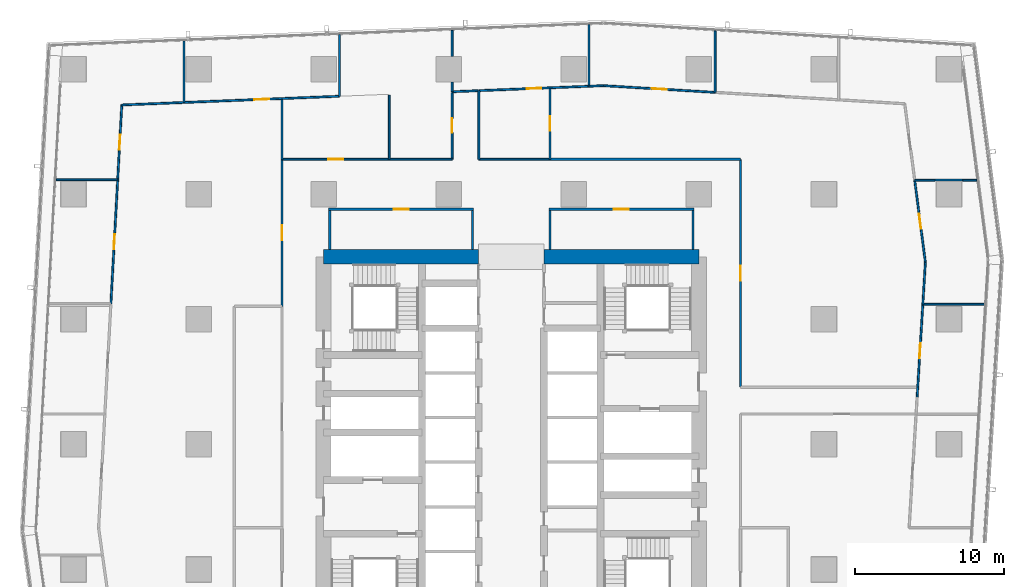
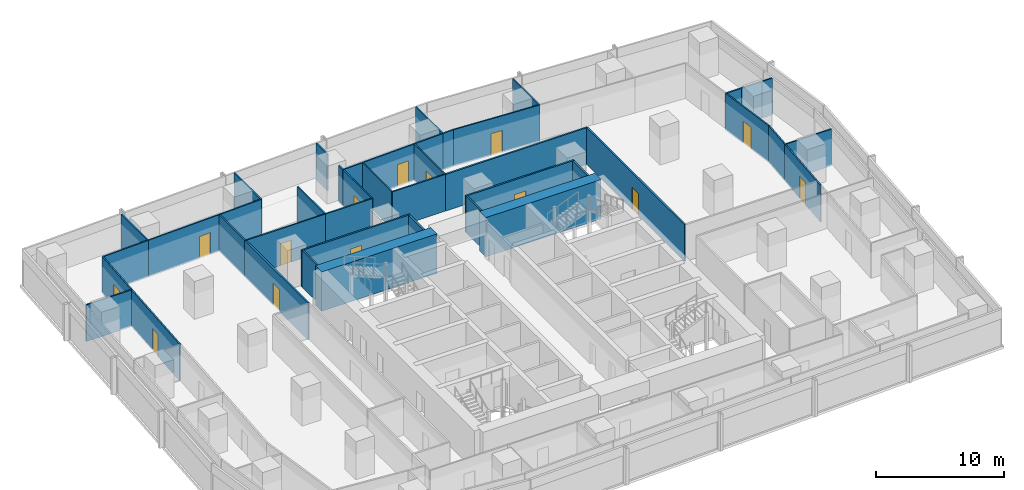
# One storey, part 31 of 40: 41 walls, 14 doors, 14 openings.
"""IFC4 building model written with IfcOpenShell, lengths in metres."""

from ifc_helpers import new_model, si_unit, direction, frame, frame_2d, origin, place, context, subcontext, project, spatial, rectangle, extrude, material, layer, layer_set, type_object, element, fill, save


model = new_model("IFC4")

# Units and contexts
model_context = context("Model", 3, precision=1e-05, world=origin(), true_north=direction((0.0, 1.0)))
body_context = subcontext(model_context, "Body", "Model", "MODEL_VIEW")
ifc_project = project(units=[si_unit("LENGTHUNIT", "METRE"), si_unit("AREAUNIT", "SQUARE_METRE"), si_unit("VOLUMEUNIT", "CUBIC_METRE"), si_unit("PLANEANGLEUNIT", "RADIAN"), si_unit("MASSUNIT", "GRAM", prefix="KILO")], contexts=[model_context])

# Site, building, storey
site_placement = place(None, origin())
site = spatial("IfcSite", under=ifc_project, at=site_placement, CompositionType="ELEMENT")
building_placement = place(site_placement, origin())
building = spatial("IfcBuilding", under=site, at=building_placement, Name="Rekha Terrace Tower", CompositionType="ELEMENT")
storey_placement = place(building_placement, frame((0.0, 0.0, 121.550048828125)))
storey = spatial("IfcBuildingStorey", under=building, at=storey_placement, Name="L30", CompositionType="ELEMENT", Elevation=121.550048828125)

# Walls
ifc_material_1 = material(Name="Concrete M70", Category="concrete")
ifc_layer_1 = layer(ifc_material_1, 1.0)
ifc_layer_set_1 = layer_set([ifc_layer_1], Name="Concrete M70")
wall_type_1 = type_object("IfcWallType", Name="SW2 1000 core outer shear wall", PredefinedType="SHEAR", material=ifc_layer_set_1)
wall_1_placement = place(storey_placement, frame((25.199951171875, 46.199951171875, 0.0), z_axis=(0.0, 0.0, 1.0), x_axis=(1.0, 0.0, 0.0)))
element("IfcWall", 1, at=wall_1_placement, inside=storey, type_object=wall_type_1, Name="Core wall N1 L30", PredefinedType="SHEAR", context=body_context, shape_type="SweptSolid", body=[
    extrude(rectangle(XDim=10.400146484375, YDim=1.0, at=frame_2d((5.2001953125, 0.0))), origin(), (0.0, 0.0, 1.0), 3.75),
])
wall_2_placement = place(storey_placement, frame((40.0, 46.199951171875, 0.0), z_axis=(0.0, 0.0, 1.0), x_axis=(1.0, 0.0, 0.0)))
element("IfcWall", 2, at=wall_2_placement, inside=storey, type_object=wall_type_1, Name="Core wall N2 L30", PredefinedType="SHEAR", context=body_context, shape_type="SweptSolid", body=[
    extrude(rectangle(XDim=10.39990234375, YDim=1.0, at=frame_2d((5.199951171875, 0.0))), origin(), (0.0, 0.0, 1.0), 3.75),
])

# Wall, opening, door
ifc_material_2 = material(Name="Concrete block masonry, 1 hour", Category="masonry")
ifc_layer_2 = layer(ifc_material_2, 0.14990234375)
ifc_layer_set_2 = layer_set([ifc_layer_2], Name="Concrete block masonry, 1 hour")
wall_type_2 = type_object("IfcWallType", Name="WP2 150 tenancy partition", PredefinedType="PARTITIONING", material=ifc_layer_set_2)
wall_3_placement = place(storey_placement, frame((40.324951171875, 49.39990234375, 0.0), z_axis=(0.0, 0.0, 1.0), x_axis=(1.0, 0.0, 0.0)))
wall_3 = element("IfcWall", 3, at=wall_3_placement, inside=storey, type_object=wall_type_2, Name="Women's WC wall L30", PredefinedType="PARTITIONING", context=body_context, shape_type="SweptSolid", body=[
    extrude(rectangle(XDim=9.75, YDim=0.14990234375, at=frame_2d((4.875, 0.0))), origin(), (0.0, 0.0, 1.0), 3.5),
])
opening_1_placement = place(wall_3_placement, frame((4.375, 0.0, 0.0)))
opening_1 = element("IfcOpeningElement", 4, at=opening_1_placement, cuts=wall_3, Name="Opening D3", PredefinedType="OPENING", context=body_context, shape_type="SweptSolid", body=[
    extrude(rectangle(XDim=1.0, YDim=2.10009765625, at=frame_2d((0.5, 1.050048828125))), frame((0.0, 0.0849609375, 0.0), z_axis=(0.0, -1.0, 0.0), x_axis=(1.0, 0.0, 0.0)), (0.0, 0.0, 1.0), 0.169921875),
])
ifc_material_3 = material(Name="Laminated timber fire door", Category="wood")
door_type_1 = type_object("IfcDoorType", Name="D3 1000x2100 WC door", OperationType="SINGLE_SWING_LEFT", PredefinedType="DOOR", material=ifc_material_3)
door_1_placement = place(opening_1_placement, origin())
door_1 = element("IfcDoor", 5, at=door_1_placement, inside=storey, type_object=door_type_1, Name="Door women's wc L30", OperationType="SINGLE_SWING_LEFT", OverallHeight=2.10009765625, OverallWidth=1.0, PredefinedType="DOOR", context=body_context, shape_type="SweptSolid", body=[
    extrude(rectangle(XDim=1.0, YDim=2.10009765625, at=frame_2d((0.5, 1.050048828125))), frame((0.0, 0.02490234375, 0.0), z_axis=(0.0, -1.0, 0.0), x_axis=(1.0, 0.0, 0.0)), (0.0, 0.0, 1.0), 0.050048828125),
])
fill(opening_1, door_1)

# Walls
for number, where, z_axis, x_axis, name in (
    (6, (40.39990234375, 46.699951171875, 0.0), (0.0, 0.0, 1.0), (0.0, 1.0, 0.0), "Women's WC wall L30"),
    (7, (50.0, 46.699951171875, 0.0), (0.0, 0.0, 1.0), (0.0, 1.0, 0.0), "Women's WC wall L30"),
):
    element("IfcWall", number, at=place(storey_placement, frame(where, z_axis=z_axis, x_axis=x_axis)), inside=storey, type_object=wall_type_2, Name=name, PredefinedType="PARTITIONING", context=body_context, shape_type="SweptSolid", body=[
        extrude(rectangle(XDim=2.625, YDim=0.14990234375, at=frame_2d((1.3125, 0.0))), origin(), (0.0, 0.0, 1.0), 3.5),
    ])

# Wall, opening, door
wall_4_placement = place(storey_placement, frame((25.52490234375, 49.39990234375, 0.0), z_axis=(0.0, 0.0, 1.0), x_axis=(1.0, 0.0, 0.0)))
wall_4 = element("IfcWall", 8, at=wall_4_placement, inside=storey, type_object=wall_type_2, Name="Women's WC wall L30", PredefinedType="PARTITIONING", context=body_context, shape_type="SweptSolid", body=[
    extrude(rectangle(XDim=9.75, YDim=0.14990234375, at=frame_2d((4.875, 0.0))), origin(), (0.0, 0.0, 1.0), 3.5),
])
opening_2_placement = place(wall_4_placement, frame((4.375, 0.0, 0.0)))
opening_2 = element("IfcOpeningElement", 9, at=opening_2_placement, cuts=wall_4, Name="Opening D3", PredefinedType="OPENING", context=body_context, shape_type="SweptSolid", body=[
    extrude(rectangle(XDim=1.0, YDim=2.10009765625, at=frame_2d((0.5, 1.050048828125))), frame((0.0, 0.0849609375, 0.0), z_axis=(0.0, -1.0, 0.0), x_axis=(1.0, 0.0, 0.0)), (0.0, 0.0, 1.0), 0.169921875),
])
door_2_placement = place(opening_2_placement, origin())
door_2 = element("IfcDoor", 10, at=door_2_placement, inside=storey, type_object=door_type_1, Name="Door women's wc L30", OperationType="SINGLE_SWING_LEFT", OverallHeight=2.10009765625, OverallWidth=1.0, PredefinedType="DOOR", context=body_context, shape_type="SweptSolid", body=[
    extrude(rectangle(XDim=1.0, YDim=2.10009765625, at=frame_2d((0.5, 1.050048828125))), frame((0.0, 0.02490234375, 0.0), z_axis=(0.0, -1.0, 0.0), x_axis=(1.0, 0.0, 0.0)), (0.0, 0.0, 1.0), 0.050048828125),
])
fill(opening_2, door_2)

# Walls
for number, where, z_axis, x_axis, name in (
    (11, (25.60009765625, 46.699951171875, 0.0), (0.0, 0.0, 1.0), (0.0, 1.0, 0.0), "Women's WC wall L30"),
    (12, (35.199951171875, 46.699951171875, 0.0), (0.0, 0.0, 1.0), (0.0, 1.0, 0.0), "Women's WC wall L30"),
):
    element("IfcWall", number, at=place(storey_placement, frame(where, z_axis=z_axis, x_axis=x_axis)), inside=storey, type_object=wall_type_2, Name=name, PredefinedType="PARTITIONING", context=body_context, shape_type="SweptSolid", body=[
        extrude(rectangle(XDim=2.625, YDim=0.14990234375, at=frame_2d((1.3125, 0.0))), origin(), (0.0, 0.0, 1.0), 3.5),
    ])
wall_5_placement = place(storey_placement, frame((66.260009765625, 51.35498046875, 0.0), z_axis=(0.0, 0.0, 1.0), x_axis=(1.0, 0.0, 0.0)))
element("IfcWall", 13, at=wall_5_placement, inside=storey, type_object=wall_type_2, Name="Partition L30-O1", PredefinedType="PARTITIONING", context=body_context, shape_type="SweptSolid", body=[
    extrude(rectangle(XDim=1.8798828125, YDim=0.14990234375, at=frame_2d((0.93994140625, 0.0))), origin(), (0.0, 0.0, 1.0), 3.5),
])

# Wall, opening, door
wall_6_placement = place(storey_placement, frame((53.199951171875, 37.43701171875, 0.0), z_axis=(0.0, 0.0, 1.0), x_axis=(0.0, 1.0, 0.0)))
wall_6 = element("IfcWall", 14, at=wall_6_placement, inside=storey, type_object=wall_type_2, Name="Partition L30-O1", PredefinedType="PARTITIONING", context=body_context, shape_type="SweptSolid", body=[
    extrude(rectangle(XDim=15.31298828125, YDim=0.14990234375, at=frame_2d((7.656494140625, 0.0))), origin(), (0.0, 0.0, 1.0), 3.5),
])
opening_3_placement = place(wall_6_placement, frame((7.156982421875, 0.0, 0.0)))
opening_3 = element("IfcOpeningElement", 15, at=opening_3_placement, cuts=wall_6, Name="Opening D9", PredefinedType="OPENING", context=body_context, shape_type="SweptSolid", body=[
    extrude(rectangle(XDim=1.0, YDim=2.10009765625, at=frame_2d((0.5, 1.050048828125))), frame((0.0, 0.0849609375, 0.0), z_axis=(0.0, -1.0, 0.0), x_axis=(1.0, 0.0, 0.0)), (0.0, 0.0, 1.0), 0.169921875),
])
ifc_material_4 = material(Name="Timber fire door", Category="wood")
door_type_2 = type_object("IfcDoorType", Name="D9 1000x2100 office door", OperationType="SINGLE_SWING_LEFT", PredefinedType="DOOR", material=ifc_material_4)
door_3_placement = place(opening_3_placement, origin())
door_3 = element("IfcDoor", 16, at=door_3_placement, inside=storey, type_object=door_type_2, Name="Door open-plan office L30", OperationType="SINGLE_SWING_LEFT", OverallHeight=2.10009765625, OverallWidth=1.0, PredefinedType="DOOR", context=body_context, shape_type="SweptSolid", body=[
    extrude(rectangle(XDim=1.0, YDim=2.10009765625, at=frame_2d((0.5, 1.050048828125))), frame((0.0, 0.02490234375, 0.0), z_axis=(0.0, -1.0, 0.0), x_axis=(1.0, 0.0, 0.0)), (0.0, 0.0, 1.0), 0.050048828125),
])
fill(opening_3, door_3)

# Wall
wall_7_placement = place(storey_placement, frame((53.199951171875, 52.75, 0.0), z_axis=(0.0, 0.0, 1.0), x_axis=(-1.0, 0.0, 0.0)))
element("IfcWall", 17, at=wall_7_placement, inside=storey, type_object=wall_type_2, Name="Partition L30-O1", PredefinedType="PARTITIONING", context=body_context, shape_type="SweptSolid", body=[
    extrude(rectangle(XDim=12.800048828125, YDim=0.14990234375, at=frame_2d((6.39990234375, 0.0))), origin(), (0.0, 0.0, 1.0), 3.5),
])

# Wall, opening, door
wall_8_placement = place(storey_placement, frame((22.39990234375, 52.75, 0.0), z_axis=(0.0, 0.0, 1.0), x_axis=(0.0, -1.0, 0.0)))
wall_8 = element("IfcWall", 18, at=wall_8_placement, inside=storey, type_object=wall_type_2, Name="Partition L30-O1c", PredefinedType="PARTITIONING", context=body_context, shape_type="SweptSolid", body=[
    extrude(rectangle(XDim=9.876953125, YDim=0.14990234375, at=frame_2d((4.9384765625, 0.0))), origin(), (0.0, 0.0, 1.0), 3.5),
])
opening_4_placement = place(wall_8_placement, frame((4.43896484375, 0.0, 0.0)))
opening_4 = element("IfcOpeningElement", 19, at=opening_4_placement, cuts=wall_8, Name="Opening D9", PredefinedType="OPENING", context=body_context, shape_type="SweptSolid", body=[
    extrude(rectangle(XDim=1.0, YDim=2.10009765625, at=frame_2d((0.5, 1.050048828125))), frame((0.0, 0.0849609375, 0.0), z_axis=(0.0, -1.0, 0.0), x_axis=(1.0, 0.0, 0.0)), (0.0, 0.0, 1.0), 0.169921875),
])
door_4_placement = place(opening_4_placement, origin())
door_4 = element("IfcDoor", 20, at=door_4_placement, inside=storey, type_object=door_type_2, Name="Door open-plan office L30", OperationType="SINGLE_SWING_LEFT", OverallHeight=2.10009765625, OverallWidth=1.0, PredefinedType="DOOR", context=body_context, shape_type="SweptSolid", body=[
    extrude(rectangle(XDim=1.0, YDim=2.10009765625, at=frame_2d((0.5, 1.050048828125))), frame((0.0, 0.02490234375, 0.0), z_axis=(0.0, -1.0, 0.0), x_axis=(1.0, 0.0, 0.0)), (0.0, 0.0, 1.0), 0.050048828125),
])
fill(opening_4, door_4)

ifc_material_5 = material(Name="Two layers of fire-rated gypsum board each side on steel studs, acoustic quilt, 1 hour", Category="steel")
ifc_layer_3 = layer(ifc_material_5, 0.125)
ifc_layer_set_3 = layer_set([ifc_layer_3], Name="Two layers of fire-rated gypsum board each side on steel studs, acoustic quilt, 1 hour")
wall_type_3 = type_object("IfcWallType", Name="WP3 125 office partition", PredefinedType="PARTITIONING", material=ifc_layer_set_3)
wall_9_placement = place(storey_placement, frame((65.06396484375, 36.760009765625, 0.0), z_axis=(0.0, 0.0, 1.0), x_axis=(0.061155234725, 0.998128266941, 0.0)))
wall_9 = element("IfcWall", 21, at=wall_9_placement, inside=storey, type_object=wall_type_3, Name="Partition L30-03", PredefinedType="PARTITIONING", context=body_context, shape_type="SweptSolid", body=[
    extrude(rectangle(XDim=6.263671875, YDim=0.125, at=frame_2d((3.1318359375, 0.0))), origin(), (0.0, 0.0, 1.0), 3.5),
])
opening_5_placement = place(wall_9_placement, frame((2.632080078125, 0.0, 0.0)))
opening_5 = element("IfcOpeningElement", 22, at=opening_5_placement, cuts=wall_9, Name="Opening D9", PredefinedType="OPENING", context=body_context, shape_type="SweptSolid", body=[
    extrude(rectangle(XDim=1.0, YDim=2.10009765625, at=frame_2d((0.5, 1.050048828125))), frame((0.0, 0.072509765625, 0.0), z_axis=(0.0, -1.0, 0.0), x_axis=(1.0, 0.0, 0.0)), (0.0, 0.0, 1.0), 0.14501953125),
])
door_5_placement = place(opening_5_placement, origin())
door_5 = element("IfcDoor", 23, at=door_5_placement, inside=storey, type_object=door_type_2, Name="Door office L30", OperationType="SINGLE_SWING_LEFT", OverallHeight=2.10009765625, OverallWidth=1.0, PredefinedType="DOOR", context=body_context, shape_type="SweptSolid", body=[
    extrude(rectangle(XDim=1.0, YDim=2.10009765625, at=frame_2d((0.5, 1.050048828125))), frame((0.0, 0.02490234375, 0.0), z_axis=(0.0, -1.0, 0.0), x_axis=(1.0, 0.0, 0.0)), (0.0, 0.0, 1.0), 0.050048828125),
])
fill(opening_5, door_5)

# Walls
wall_10_placement = place(storey_placement, frame((65.447021484375, 43.011962890625, 0.0), z_axis=(0.0, 0.0, 1.0), x_axis=(1.0, 0.0, 0.0)))
element("IfcWall", 24, at=wall_10_placement, inside=storey, type_object=wall_type_3, Name="Partition L30-03", PredefinedType="PARTITIONING", context=body_context, shape_type="SweptSolid", body=[
    extrude(rectangle(XDim=4.156982421875, YDim=0.125, at=frame_2d((2.07861328125, 0.0))), origin(), (0.0, 0.0, 1.0), 3.5),
])
wall_11_placement = place(storey_placement, frame((64.902099609375, 51.337890625, 0.0), z_axis=(0.0, 0.0, 1.0), x_axis=(1.0, 0.0, 0.0)))
element("IfcWall", 25, at=wall_11_placement, inside=storey, type_object=wall_type_3, Name="Partition L30-04", PredefinedType="PARTITIONING", context=body_context, shape_type="SweptSolid", body=[
    extrude(rectangle(XDim=1.35791015625, YDim=0.125, at=frame_2d((0.678955078125, 0.0))), origin(), (0.0, 0.0, 1.0), 3.5),
])
wall_12_placement = place(storey_placement, frame((68.139892578125, 51.337890625, 0.0), z_axis=(0.0, 0.0, 1.0), x_axis=(1.0, 0.0, 0.0)))
element("IfcWall", 26, at=wall_12_placement, inside=storey, type_object=wall_type_3, Name="Partition L30-04", PredefinedType="PARTITIONING", context=body_context, shape_type="SweptSolid", body=[
    extrude(rectangle(XDim=0.9169921875, YDim=0.125, at=frame_2d((0.45849609375, 0.0))), origin(), (0.0, 0.0, 1.0), 3.5),
])
wall_13_placement = place(storey_placement, frame((65.447021484375, 43.012939453125, 0.0), z_axis=(0.0, 0.0, 1.0), x_axis=(0.060944611384, 0.998141149509, 0.0)))
element("IfcWall", 27, at=wall_13_placement, inside=storey, type_object=wall_type_3, Name="Partition L30-04", PredefinedType="PARTITIONING", context=body_context, shape_type="SweptSolid", body=[
    extrude(rectangle(XDim=2.820068359375, YDim=0.125, at=frame_2d((1.41015625, 0.0))), origin(), (0.0, 0.0, 1.0), 3.5),
])

# Wall, opening, door
wall_14_placement = place(storey_placement, frame((65.618896484375, 45.827880859375, 0.0), z_axis=(0.0, 0.0, 1.0), x_axis=(-0.129002942223, 0.991644210843, 0.0)))
wall_14 = element("IfcWall", 28, at=wall_14_placement, inside=storey, type_object=wall_type_3, Name="Partition L30-04", PredefinedType="PARTITIONING", context=body_context, shape_type="SweptSolid", body=[
    extrude(rectangle(XDim=5.556396484375, YDim=0.125, at=frame_2d((2.7783203125, 0.0))), origin(), (0.0, 0.0, 1.0), 3.5),
])
opening_6_placement = place(wall_14_placement, frame((2.278076171875, 0.0, 0.0)))
opening_6 = element("IfcOpeningElement", 29, at=opening_6_placement, cuts=wall_14, Name="Opening D9", PredefinedType="OPENING", context=body_context, shape_type="SweptSolid", body=[
    extrude(rectangle(XDim=1.0, YDim=2.10009765625, at=frame_2d((0.5, 1.050048828125))), frame((0.0, 0.072509765625, 0.0), z_axis=(0.0, -1.0, 0.0), x_axis=(1.0, 0.0, 0.0)), (0.0, 0.0, 1.0), 0.14501953125),
])
door_6_placement = place(opening_6_placement, origin())
door_6 = element("IfcDoor", 30, at=door_6_placement, inside=storey, type_object=door_type_2, Name="Door office L30", OperationType="SINGLE_SWING_LEFT", OverallHeight=2.10009765625, OverallWidth=1.0, PredefinedType="DOOR", context=body_context, shape_type="SweptSolid", body=[
    extrude(rectangle(XDim=1.0, YDim=2.10009765625, at=frame_2d((0.5, 1.050048828125))), frame((0.0, 0.02490234375, 0.0), z_axis=(0.0, -1.0, 0.0), x_axis=(1.0, 0.0, 0.0)), (0.0, 0.0, 1.0), 0.050048828125),
])
fill(opening_6, door_6)

# Walls
wall_15_placement = place(storey_placement, frame((51.4951171875, 57.243896484375, 0.0), z_axis=(0.0, 0.0, 1.0), x_axis=(0.0, 1.0, 0.0)))
element("IfcWall", 31, at=wall_15_placement, inside=storey, type_object=wall_type_3, Name="Partition L30-06", PredefinedType="PARTITIONING", context=body_context, shape_type="SweptSolid", body=[
    extrude(rectangle(XDim=4.128173828125, YDim=0.125, at=frame_2d((2.06396484375, 0.0))), origin(), (0.0, 0.0, 1.0), 3.5),
])
wall_16_placement = place(storey_placement, frame((43.02392578125, 57.656005859375, 0.0), z_axis=(0.0, 0.0, 1.0), x_axis=(0.0, 1.0, 0.0)))
element("IfcWall", 32, at=wall_16_placement, inside=storey, type_object=wall_type_3, Name="Partition L30-07", PredefinedType="PARTITIONING", context=body_context, shape_type="SweptSolid", body=[
    extrude(rectangle(XDim=4.153076171875, YDim=0.125, at=frame_2d((2.07666015625, 0.0))), origin(), (0.0, 0.0, 1.0), 3.5),
])

# Wall, opening, door
wall_17_placement = place(storey_placement, frame((51.493896484375, 57.243896484375, 0.0), z_axis=(0.0, 0.0, 1.0), x_axis=(-0.998194453933, 0.060065232355, 0.0)))
wall_17 = element("IfcWall", 33, at=wall_17_placement, inside=storey, type_object=wall_type_3, Name="Partition L30-07", PredefinedType="PARTITIONING", context=body_context, shape_type="SweptSolid", body=[
    extrude(rectangle(XDim=7.511474609375, YDim=0.125, at=frame_2d((3.755859375, 0.0))), origin(), (0.0, 0.0, 1.0), 3.5),
])
opening_7_placement = place(wall_17_placement, frame((3.256103515625, 0.0, 0.0)))
opening_7 = element("IfcOpeningElement", 34, at=opening_7_placement, cuts=wall_17, Name="Opening D9", PredefinedType="OPENING", context=body_context, shape_type="SweptSolid", body=[
    extrude(rectangle(XDim=1.0, YDim=2.10009765625, at=frame_2d((0.5, 1.050048828125))), frame((0.0, 0.072509765625, 0.0), z_axis=(0.0, -1.0, 0.0), x_axis=(1.0, 0.0, 0.0)), (0.0, 0.0, 1.0), 0.14501953125),
])
door_7_placement = place(opening_7_placement, origin())
door_7 = element("IfcDoor", 35, at=door_7_placement, inside=storey, type_object=door_type_2, Name="Door office L30", OperationType="SINGLE_SWING_LEFT", OverallHeight=2.10009765625, OverallWidth=1.0, PredefinedType="DOOR", context=body_context, shape_type="SweptSolid", body=[
    extrude(rectangle(XDim=1.0, YDim=2.10009765625, at=frame_2d((0.5, 1.050048828125))), frame((0.0, 0.02490234375, 0.0), z_axis=(0.0, -1.0, 0.0), x_axis=(1.0, 0.0, 0.0)), (0.0, 0.0, 1.0), 0.050048828125),
])
fill(opening_7, door_7)

# Walls
wall_18_placement = place(storey_placement, frame((43.99609375, 57.695068359375, 0.0), z_axis=(0.0, 0.0, 1.0), x_axis=(-0.99919372727, -0.040148416967, 0.0)))
element("IfcWall", 36, at=wall_18_placement, inside=storey, type_object=wall_type_3, Name="Partition L30-07", PredefinedType="PARTITIONING", context=body_context, shape_type="SweptSolid", body=[
    extrude(rectangle(XDim=0.972900390625, YDim=0.125, at=frame_2d((0.486328125, 0.0))), origin(), (0.0, 0.0, 1.0), 3.5),
])
wall_19_placement = place(storey_placement, frame((35.56298828125, 57.35693359375, 0.0), z_axis=(0.0, 0.0, 1.0), x_axis=(-0.999191272238, -0.04020947008, 0.0)))
element("IfcWall", 37, at=wall_19_placement, inside=storey, type_object=wall_type_3, Name="Partition L30-08", PredefinedType="PARTITIONING", context=body_context, shape_type="SweptSolid", body=[
    extrude(rectangle(XDim=1.736572265625, YDim=0.125, at=frame_2d((0.8681640625, 0.0))), origin(), (0.0, 0.0, 1.0), 3.5),
])
wall_20_placement = place(storey_placement, frame((33.827880859375, 57.287109375, 0.0), z_axis=(0.0, 0.0, 1.0), x_axis=(0.0, 1.0, 0.0)))
element("IfcWall", 38, at=wall_20_placement, inside=storey, type_object=wall_type_3, Name="Partition L30-08", PredefinedType="PARTITIONING", context=body_context, shape_type="SweptSolid", body=[
    extrude(rectangle(XDim=0.642822265625, YDim=0.125, at=frame_2d((0.3212890625, 0.0))), origin(), (0.0, 0.0, 1.0), 3.5),
])
wall_21_placement = place(storey_placement, frame((33.827880859375, 59.669921875, 0.0), z_axis=(0.0, 0.0, 1.0), x_axis=(0.0, 1.0, 0.0)))
element("IfcWall", 39, at=wall_21_placement, inside=storey, type_object=wall_type_3, Name="Partition L30-08", PredefinedType="PARTITIONING", context=body_context, shape_type="SweptSolid", body=[
    extrude(rectangle(XDim=1.740966796875, YDim=0.125, at=frame_2d((0.87060546875, 0.0))), origin(), (0.0, 0.0, 1.0), 3.5),
])

# Wall, opening, door
wall_22_placement = place(storey_placement, frame((43.02294921875, 57.656005859375, 0.0), z_axis=(0.0, 0.0, 1.0), x_axis=(-0.999200853354, -0.039970672462, 0.0)))
wall_22 = element("IfcWall", 40, at=wall_22_placement, inside=storey, type_object=wall_type_3, Name="Partition L30-08", PredefinedType="PARTITIONING", context=body_context, shape_type="SweptSolid", body=[
    extrude(rectangle(XDim=7.40283203125, YDim=0.125, at=frame_2d((3.701416015625, 0.0))), origin(), (0.0, 0.0, 1.0), 3.5),
])
opening_8_placement = place(wall_22_placement, frame((3.200927734375, 0.0, 0.0)))
opening_8 = element("IfcOpeningElement", 41, at=opening_8_placement, cuts=wall_22, Name="Opening D9", PredefinedType="OPENING", context=body_context, shape_type="SweptSolid", body=[
    extrude(rectangle(XDim=1.0, YDim=2.10009765625, at=frame_2d((0.5, 1.050048828125))), frame((0.0, 0.072509765625, 0.0), z_axis=(0.0, -1.0, 0.0), x_axis=(1.0, 0.0, 0.0)), (0.0, 0.0, 1.0), 0.14501953125),
])
door_8_placement = place(opening_8_placement, origin())
door_8 = element("IfcDoor", 42, at=door_8_placement, inside=storey, type_object=door_type_2, Name="Door office L30", OperationType="SINGLE_SWING_LEFT", OverallHeight=2.10009765625, OverallWidth=1.0, PredefinedType="DOOR", context=body_context, shape_type="SweptSolid", body=[
    extrude(rectangle(XDim=1.0, YDim=2.10009765625, at=frame_2d((0.5, 1.050048828125))), frame((0.0, 0.02490234375, 0.0), z_axis=(0.0, -1.0, 0.0), x_axis=(1.0, 0.0, 0.0)), (0.0, 0.0, 1.0), 0.050048828125),
])
fill(opening_8, door_8)

# Wall
wall_23_placement = place(storey_placement, frame((26.258056640625, 56.98388671875, 0.0), z_axis=(0.0, 0.0, 1.0), x_axis=(0.0, 1.0, 0.0)))
element("IfcWall", 43, at=wall_23_placement, inside=storey, type_object=wall_type_3, Name="Partition L30-09", PredefinedType="PARTITIONING", context=body_context, shape_type="SweptSolid", body=[
    extrude(rectangle(XDim=4.153076171875, YDim=0.125, at=frame_2d((2.07666015625, 0.0))), origin(), (0.0, 0.0, 1.0), 3.5),
])

# Wall, opening, door
wall_24_placement = place(storey_placement, frame((26.257080078125, 56.98388671875, 0.0), z_axis=(0.0, 0.0, 1.0), x_axis=(-0.999199876108, -0.039995094524, 0.0)))
wall_24 = element("IfcWall", 44, at=wall_24_placement, inside=storey, type_object=wall_type_3, Name="Partition L30-10", PredefinedType="PARTITIONING", context=body_context, shape_type="SweptSolid", body=[
    extrude(rectangle(XDim=10.450439453125, YDim=0.125, at=frame_2d((5.22509765625, 0.0))), origin(), (0.0, 0.0, 1.0), 3.5),
])
opening_9_placement = place(wall_24_placement, frame((4.72509765625, 0.0, 0.0)))
opening_9 = element("IfcOpeningElement", 45, at=opening_9_placement, cuts=wall_24, Name="Opening D9", PredefinedType="OPENING", context=body_context, shape_type="SweptSolid", body=[
    extrude(rectangle(XDim=1.0, YDim=2.10009765625, at=frame_2d((0.5, 1.050048828125))), frame((0.0, 0.072509765625, 0.0), z_axis=(0.0, -1.0, 0.0), x_axis=(1.0, 0.0, 0.0)), (0.0, 0.0, 1.0), 0.14501953125),
])
door_9_placement = place(opening_9_placement, origin())
door_9 = element("IfcDoor", 46, at=door_9_placement, inside=storey, type_object=door_type_2, Name="Door office L30", OperationType="SINGLE_SWING_LEFT", OverallHeight=2.10009765625, OverallWidth=1.0, PredefinedType="DOOR", context=body_context, shape_type="SweptSolid", body=[
    extrude(rectangle(XDim=1.0, YDim=2.10009765625, at=frame_2d((0.5, 1.050048828125))), frame((0.0, 0.02490234375, 0.0), z_axis=(0.0, -1.0, 0.0), x_axis=(1.0, 0.0, 0.0)), (0.0, 0.0, 1.0), 0.050048828125),
])
fill(opening_9, door_9)

# Walls
wall_25_placement = place(storey_placement, frame((15.81494140625, 56.56591796875, 0.0), z_axis=(0.0, 0.0, 1.0), x_axis=(0.0, 1.0, 0.0)))
element("IfcWall", 47, at=wall_25_placement, inside=storey, type_object=wall_type_3, Name="Partition L30-10", PredefinedType="PARTITIONING", context=body_context, shape_type="SweptSolid", body=[
    extrude(rectangle(XDim=4.123046875, YDim=0.125, at=frame_2d((2.0615234375, 0.0))), origin(), (0.0, 0.0, 1.0), 3.5),
])
wall_26_placement = place(storey_placement, frame((11.362060546875, 51.37890625, 0.0), z_axis=(0.0, 0.0, 1.0), x_axis=(-1.0, 0.0, 0.0)))
element("IfcWall", 48, at=wall_26_placement, inside=storey, type_object=wall_type_3, Name="Partition L30-11", PredefinedType="PARTITIONING", context=body_context, shape_type="SweptSolid", body=[
    extrude(rectangle(XDim=4.1259765625, YDim=0.125, at=frame_2d((2.06298828125, 0.0))), origin(), (0.0, 0.0, 1.0), 3.5),
])
wall_27_placement = place(storey_placement, frame((15.81396484375, 56.56591796875, 0.0), z_axis=(0.0, 0.0, 1.0), x_axis=(-0.999192069217, -0.040189660545, 0.0)))
element("IfcWall", 49, at=wall_27_placement, inside=storey, type_object=wall_type_3, Name="Partition L30-11", PredefinedType="PARTITIONING", context=body_context, shape_type="SweptSolid", body=[
    extrude(rectangle(XDim=4.179443359375, YDim=0.125, at=frame_2d((2.08984375, 0.0))), origin(), (0.0, 0.0, 1.0), 3.5),
])

# Wall, opening, door
wall_28_placement = place(storey_placement, frame((11.637939453125, 56.39794921875, 0.0), z_axis=(0.0, 0.0, 1.0), x_axis=(-0.05488358881, -0.998492759953, 0.0)))
wall_28 = element("IfcWall", 50, at=wall_28_placement, inside=storey, type_object=wall_type_3, Name="Partition L30-11", PredefinedType="PARTITIONING", context=body_context, shape_type="SweptSolid", body=[
    extrude(rectangle(XDim=5.026611328125, YDim=0.125, at=frame_2d((2.51318359375, 0.0))), origin(), (0.0, 0.0, 1.0), 3.5),
])
opening_10_placement = place(wall_28_placement, frame((2.012939453125, 0.0, 0.0)))
opening_10 = element("IfcOpeningElement", 51, at=opening_10_placement, cuts=wall_28, Name="Opening D9", PredefinedType="OPENING", context=body_context, shape_type="SweptSolid", body=[
    extrude(rectangle(XDim=1.0, YDim=2.10009765625, at=frame_2d((0.5, 1.050048828125))), frame((0.0, 0.072509765625, 0.0), z_axis=(0.0, -1.0, 0.0), x_axis=(1.0, 0.0, 0.0)), (0.0, 0.0, 1.0), 0.14501953125),
])
door_10_placement = place(opening_10_placement, origin())
door_10 = element("IfcDoor", 52, at=door_10_placement, inside=storey, type_object=door_type_2, Name="Door director's office L30", OperationType="SINGLE_SWING_LEFT", OverallHeight=2.10009765625, OverallWidth=1.0, PredefinedType="DOOR", context=body_context, shape_type="SweptSolid", body=[
    extrude(rectangle(XDim=1.0, YDim=2.10009765625, at=frame_2d((0.5, 1.050048828125))), frame((0.0, 0.02490234375, 0.0), z_axis=(0.0, -1.0, 0.0), x_axis=(1.0, 0.0, 0.0)), (0.0, 0.0, 1.0), 0.050048828125),
])
fill(opening_10, door_10)

wall_29_placement = place(storey_placement, frame((11.362060546875, 51.3779296875, 0.0), z_axis=(0.0, 0.0, 1.0), x_axis=(-0.054769987218, -0.998498997746, 0.0)))
wall_29 = element("IfcWall", 53, at=wall_29_placement, inside=storey, type_object=wall_type_3, Name="Partition L30-12", PredefinedType="PARTITIONING", context=body_context, shape_type="SweptSolid", body=[
    extrude(rectangle(XDim=8.344482421875, YDim=0.125, at=frame_2d((4.17236328125, 0.0))), origin(), (0.0, 0.0, 1.0), 3.5),
])
opening_11_placement = place(wall_29_placement, frame((3.672119140625, 0.0, 0.0)))
opening_11 = element("IfcOpeningElement", 54, at=opening_11_placement, cuts=wall_29, Name="Opening D9", PredefinedType="OPENING", context=body_context, shape_type="SweptSolid", body=[
    extrude(rectangle(XDim=1.0, YDim=2.10009765625, at=frame_2d((0.5, 1.050048828125))), frame((0.0, 0.072509765625, 0.0), z_axis=(0.0, -1.0, 0.0), x_axis=(1.0, 0.0, 0.0)), (0.0, 0.0, 1.0), 0.14501953125),
])
door_11_placement = place(opening_11_placement, origin())
door_11 = element("IfcDoor", 55, at=door_11_placement, inside=storey, type_object=door_type_2, Name="Door wellness room L30", OperationType="SINGLE_SWING_LEFT", OverallHeight=2.10009765625, OverallWidth=1.0, PredefinedType="DOOR", context=body_context, shape_type="SweptSolid", body=[
    extrude(rectangle(XDim=1.0, YDim=2.10009765625, at=frame_2d((0.5, 1.050048828125))), frame((0.0, 0.02490234375, 0.0), z_axis=(0.0, -1.0, 0.0), x_axis=(1.0, 0.0, 0.0)), (0.0, 0.0, 1.0), 0.050048828125),
])
fill(opening_11, door_11)

# Wall
wall_30_placement = place(storey_placement, frame((29.60009765625, 57.054931640625, 0.0), z_axis=(0.0, 0.0, 1.0), x_axis=(0.0, -1.0, 0.0)))
element("IfcWall", 56, at=wall_30_placement, inside=storey, type_object=wall_type_3, Name="Partition L30-13", PredefinedType="PARTITIONING", context=body_context, shape_type="SweptSolid", body=[
    extrude(rectangle(XDim=4.304931640625, YDim=0.125, at=frame_2d((2.15234375, 0.0))), origin(), (0.0, 0.0, 1.0), 3.5),
])

# Wall, opening, door
wall_31_placement = place(storey_placement, frame((29.60009765625, 52.75, 0.0), z_axis=(0.0, 0.0, 1.0), x_axis=(-1.0, 0.0, 0.0)))
wall_31 = element("IfcWall", 57, at=wall_31_placement, inside=storey, type_object=wall_type_3, Name="Partition L30-13", PredefinedType="PARTITIONING", context=body_context, shape_type="SweptSolid", body=[
    extrude(rectangle(XDim=7.2001953125, YDim=0.125, at=frame_2d((3.60009765625, 0.0))), origin(), (0.0, 0.0, 1.0), 3.5),
])
opening_12_placement = place(wall_31_placement, frame((3.10009765625, 0.0, 0.0)))
opening_12 = element("IfcOpeningElement", 58, at=opening_12_placement, cuts=wall_31, Name="Opening D9", PredefinedType="OPENING", context=body_context, shape_type="SweptSolid", body=[
    extrude(rectangle(XDim=1.0, YDim=2.10009765625, at=frame_2d((0.5, 1.050048828125))), frame((0.0, 0.072509765625, 0.0), z_axis=(0.0, -1.0, 0.0), x_axis=(1.0, 0.0, 0.0)), (0.0, 0.0, 1.0), 0.14501953125),
])
door_12_placement = place(opening_12_placement, origin())
door_12 = element("IfcDoor", 59, at=door_12_placement, inside=storey, type_object=door_type_2, Name="Door reception L30", OperationType="SINGLE_SWING_LEFT", OverallHeight=2.10009765625, OverallWidth=1.0, PredefinedType="DOOR", context=body_context, shape_type="SweptSolid", body=[
    extrude(rectangle(XDim=1.0, YDim=2.10009765625, at=frame_2d((0.5, 1.050048828125))), frame((0.0, 0.02490234375, 0.0), z_axis=(0.0, -1.0, 0.0), x_axis=(1.0, 0.0, 0.0)), (0.0, 0.0, 1.0), 0.050048828125),
])
fill(opening_12, door_12)

# Wall
wall_32_placement = place(storey_placement, frame((22.39990234375, 52.75, 0.0), z_axis=(0.0, 0.0, 1.0), x_axis=(0.0, 1.0, 0.0)))
element("IfcWall", 60, at=wall_32_placement, inside=storey, type_object=wall_type_3, Name="Partition L30-13", PredefinedType="PARTITIONING", context=body_context, shape_type="SweptSolid", body=[
    extrude(rectangle(XDim=4.01708984375, YDim=0.125, at=frame_2d((2.008544921875, 0.0))), origin(), (0.0, 0.0, 1.0), 3.5),
])

# Wall, opening, door
wall_33_placement = place(storey_placement, frame((33.825927734375, 57.22412109375, 0.0), z_axis=(0.0, 0.0, 1.0), x_axis=(0.0, -1.0, 0.0)))
wall_33 = element("IfcWall", 61, at=wall_33_placement, inside=storey, type_object=wall_type_3, Name="Partition L30-14", PredefinedType="PARTITIONING", context=body_context, shape_type="SweptSolid", body=[
    extrude(rectangle(XDim=4.47412109375, YDim=0.125, at=frame_2d((2.237060546875, 0.0))), origin(), (0.0, 0.0, 1.0), 3.5),
])
opening_13_placement = place(wall_33_placement, frame((1.705078125, 0.0, 0.0)))
opening_13 = element("IfcOpeningElement", 62, at=opening_13_placement, cuts=wall_33, Name="Opening D9", PredefinedType="OPENING", context=body_context, shape_type="SweptSolid", body=[
    extrude(rectangle(XDim=1.0, YDim=2.10009765625, at=frame_2d((0.5, 1.050048828125))), frame((0.0, 0.072509765625, 0.0), z_axis=(0.0, -1.0, 0.0), x_axis=(1.0, 0.0, 0.0)), (0.0, 0.0, 1.0), 0.14501953125),
])
door_13_placement = place(opening_13_placement, origin())
door_13 = element("IfcDoor", 63, at=door_13_placement, inside=storey, type_object=door_type_2, Name="Door prayer room L30", OperationType="SINGLE_SWING_LEFT", OverallHeight=2.10009765625, OverallWidth=1.0, PredefinedType="DOOR", context=body_context, shape_type="SweptSolid", body=[
    extrude(rectangle(XDim=1.0, YDim=2.10009765625, at=frame_2d((0.5, 1.050048828125))), frame((0.0, 0.02490234375, 0.0), z_axis=(0.0, -1.0, 0.0), x_axis=(1.0, 0.0, 0.0)), (0.0, 0.0, 1.0), 0.050048828125),
])
fill(opening_13, door_13)

# Wall
wall_34_placement = place(storey_placement, frame((33.825927734375, 52.75, 0.0), z_axis=(0.0, 0.0, 1.0), x_axis=(-1.0, 0.0, 0.0)))
element("IfcWall", 64, at=wall_34_placement, inside=storey, type_object=wall_type_3, Name="Partition L30-14", PredefinedType="PARTITIONING", context=body_context, shape_type="SweptSolid", body=[
    extrude(rectangle(XDim=4.225830078125, YDim=0.125, at=frame_2d((2.11279296875, 0.0))), origin(), (0.0, 0.0, 1.0), 3.5),
])

# Wall, opening, door
wall_35_placement = place(storey_placement, frame((40.39990234375, 57.488037109375, 0.0), z_axis=(0.0, 0.0, 1.0), x_axis=(0.0, -1.0, 0.0)))
wall_35 = element("IfcWall", 65, at=wall_35_placement, inside=storey, type_object=wall_type_3, Name="Partition L30-15", PredefinedType="PARTITIONING", context=body_context, shape_type="SweptSolid", body=[
    extrude(rectangle(XDim=4.738037109375, YDim=0.125, at=frame_2d((2.369140625, 0.0))), origin(), (0.0, 0.0, 1.0), 3.5),
])
opening_14_placement = place(wall_35_placement, frame((1.837890625, 0.0, 0.0)))
opening_14 = element("IfcOpeningElement", 66, at=opening_14_placement, cuts=wall_35, Name="Opening D9", PredefinedType="OPENING", context=body_context, shape_type="SweptSolid", body=[
    extrude(rectangle(XDim=1.0, YDim=2.10009765625, at=frame_2d((0.5, 1.050048828125))), frame((0.0, 0.072509765625, 0.0), z_axis=(0.0, -1.0, 0.0), x_axis=(1.0, 0.0, 0.0)), (0.0, 0.0, 1.0), 0.14501953125),
])
door_14_placement = place(opening_14_placement, origin())
door_14 = element("IfcDoor", 67, at=door_14_placement, inside=storey, type_object=door_type_2, Name="Door meeting room L30", OperationType="SINGLE_SWING_LEFT", OverallHeight=2.10009765625, OverallWidth=1.0, PredefinedType="DOOR", context=body_context, shape_type="SweptSolid", body=[
    extrude(rectangle(XDim=1.0, YDim=2.10009765625, at=frame_2d((0.5, 1.050048828125))), frame((0.0, 0.02490234375, 0.0), z_axis=(0.0, -1.0, 0.0), x_axis=(1.0, 0.0, 0.0)), (0.0, 0.0, 1.0), 0.050048828125),
])
fill(opening_14, door_14)

# Walls
wall_36_placement = place(storey_placement, frame((40.39990234375, 52.75, 0.0), z_axis=(0.0, 0.0, 1.0), x_axis=(-1.0, 0.0, 0.0)))
element("IfcWall", 68, at=wall_36_placement, inside=storey, type_object=wall_type_3, Name="Partition L30-15", PredefinedType="PARTITIONING", context=body_context, shape_type="SweptSolid", body=[
    extrude(rectangle(XDim=4.77392578125, YDim=0.125, at=frame_2d((2.386962890625, 0.0))), origin(), (0.0, 0.0, 1.0), 3.5),
])
wall_37_placement = place(storey_placement, frame((35.6259765625, 52.75, 0.0), z_axis=(0.0, 0.0, 1.0), x_axis=(0.0, 1.0, 0.0)))
element("IfcWall", 69, at=wall_37_placement, inside=storey, type_object=wall_type_3, Name="Partition L30-15", PredefinedType="PARTITIONING", context=body_context, shape_type="SweptSolid", body=[
    extrude(rectangle(XDim=4.610107421875, YDim=0.125, at=frame_2d((2.30517578125, 0.0))), origin(), (0.0, 0.0, 1.0), 3.5),
])

save(model, "model.ifc")
